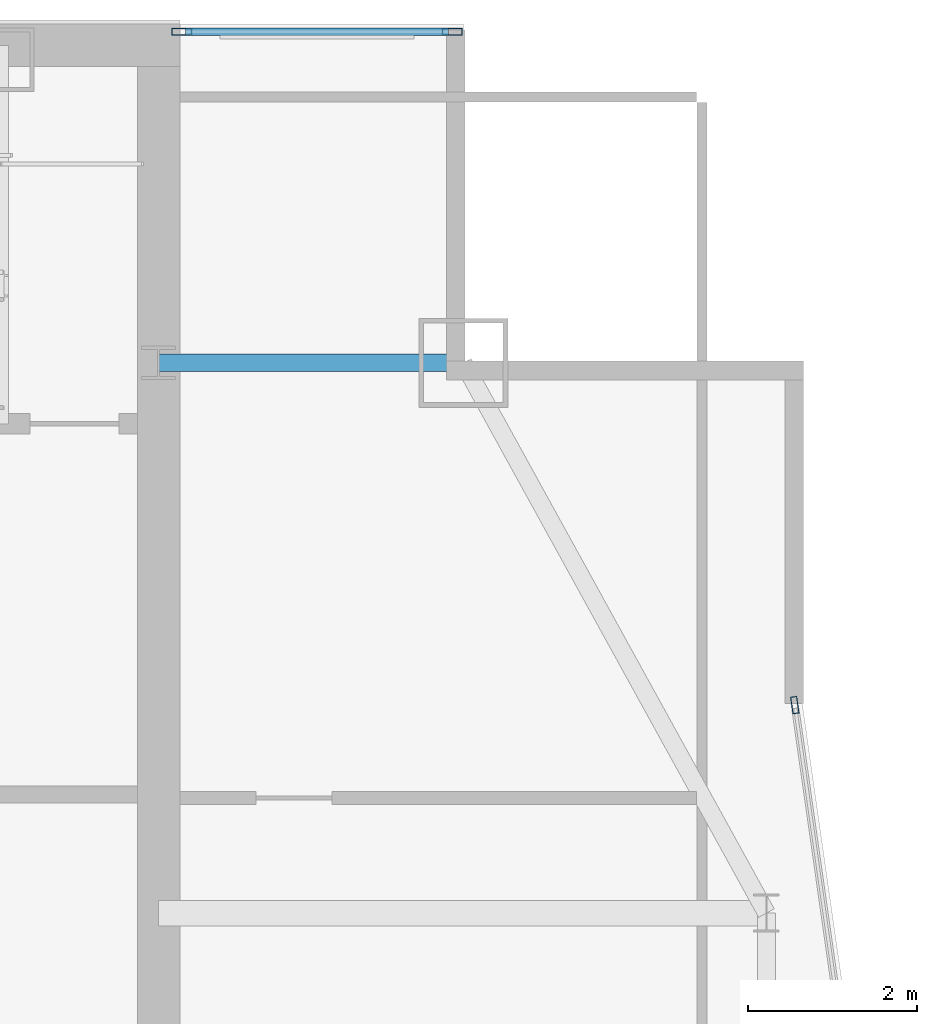
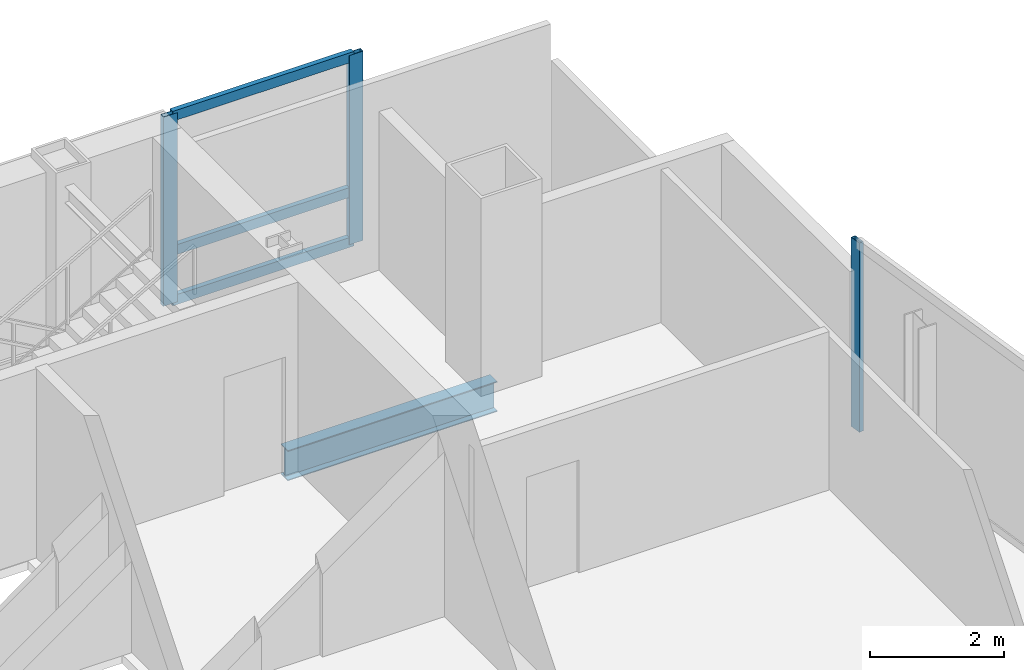
# One storey, part 23 of 30: 6 members, 1 beam, 2 elements without a shape of their own.
"""IFC4 building model written with IfcOpenShell, lengths in metres."""

from ifc_helpers import new_model, si_unit, direction, frame, origin, origin_2d, place, context, subcontext, project, spatial, hollow_rectangle, i_section, extrude, material, material_profile, profile_set, type_object, element, aggregate, save


model = new_model("IFC4")

# Units and contexts
model_context = context("Model", 3, precision=1e-05, world=origin(), true_north=direction((0.0, 1.0)))
body_context = subcontext(model_context, "Body", "Model", "MODEL_VIEW")
ifc_project = project(units=[si_unit("LENGTHUNIT", "METRE"), si_unit("AREAUNIT", "SQUARE_METRE"), si_unit("VOLUMEUNIT", "CUBIC_METRE"), si_unit("PLANEANGLEUNIT", "RADIAN"), si_unit("MASSUNIT", "GRAM", prefix="KILO")], contexts=[model_context])

# Site, building, storey
site_placement = place(None, origin())
site = spatial("IfcSite", under=ifc_project, at=site_placement, CompositionType="ELEMENT")
building_placement = place(site_placement, origin())
building = spatial("IfcBuilding", under=site, at=building_placement, Name="Khoronbel Lancet Exchange", CompositionType="ELEMENT")
storey_placement = place(building_placement, frame((0.0, 0.0, 280.60009765625)))
storey = spatial("IfcBuildingStorey", under=building, at=storey_placement, Name="L72", CompositionType="ELEMENT", Elevation=280.60009765625)

# Beam
ifc_material_1 = material(Name="Steel S355", Category="steel")
ifc_material_profile_1 = material_profile(ifc_material_1, i_section(OverallWidth=0.2099609375, OverallDepth=0.550048828125, WebThickness=0.010986328125, FlangeThickness=0.01708984375, at=origin_2d()), Name="IPE 550")
ifc_profile_set_1 = profile_set([ifc_material_profile_1], Name="Steel S355")
beam_type = type_object("IfcBeamType", Name="BM-BSP3", PredefinedType="SPANDREL", material=ifc_profile_set_1)
beam_placement = place(storey_placement, frame((60.050048828125, 49.699951171875, -0.43505859375), z_axis=(-1.0, 0.0, 0.0), x_axis=(0.0, -1.0, 0.0)))
element("IfcBeam", 1, at=beam_placement, inside=storey, type_object=beam_type, Name="Level L72 north flank tie spandrel SP23", PredefinedType="SPANDREL", context=body_context, shape_type="SweptSolid", body=[
    extrude(i_section(OverallWidth=0.2099609375, OverallDepth=0.550048828125, WebThickness=0.010986328125, FlangeThickness=0.01708984375, at=origin_2d()), origin(), (0.0, 0.0, 1.0), 3.60009765625),
])

# Curtain wall, members
ifc_material_2 = material(Name="Low-E Solar Control Insulating Glass", Category="glass")
curtain_wall_type_1 = type_object("IfcCurtainWallType", Name="CW-3", PredefinedType="NOTDEFINED", material=ifc_material_2)
curtain_wall_1_placement = place(storey_placement, origin())
curtain_wall_1 = element("IfcCurtainWall", 2, at=curtain_wall_1_placement, inside=storey, type_object=curtain_wall_type_1, Name="Unitised curtain wall CW-L72-NEFLK", PredefinedType="NOTDEFINED")
ifc_material_3 = material(Name="Bronze-Anodised Aluminium 6063-T6", Category="aluminium")
ifc_material_profile_2 = material_profile(ifc_material_3, hollow_rectangle(XDim=0.0849609375, YDim=0.239990234375, WallThickness=0.006103515625, at=origin_2d()), Name="ALU MULLION 85x240")
ifc_profile_set_2 = profile_set([ifc_material_profile_2], Name="Bronze-Anodised Aluminium 6063-T6")
member_type_1 = type_object("IfcMemberType", Name="MEM-CWM1", PredefinedType="MULLION", material=ifc_profile_set_2)
member_1_placement = place(storey_placement, frame((59.91748046875, 53.610107421875, 0.0), z_axis=(0.0, 0.0, 1.0), x_axis=(0.0, -1.0, 0.0)))
member_1 = element("IfcMember", 3, at=member_1_placement, type_object=member_type_1, Name="CW3 mullion 1", PredefinedType="MULLION", context=body_context, shape_type="SweptSolid", body=[
    extrude(hollow_rectangle(XDim=0.0849609375, YDim=0.239990234375, WallThickness=0.006103515625, at=origin_2d()), origin(), (0.0, 0.0, 1.0), 3.43994140625),
])
member_2_placement = place(storey_placement, frame((56.722412109375, 53.610107421875, 0.0), z_axis=(0.0, 0.0, 1.0), x_axis=(0.0, -1.0, 0.0)))
member_2 = element("IfcMember", 4, at=member_2_placement, type_object=member_type_1, Name="CW3 mullion 2", PredefinedType="MULLION", context=body_context, shape_type="SweptSolid", body=[
    extrude(hollow_rectangle(XDim=0.0849609375, YDim=0.239990234375, WallThickness=0.006103515625, at=origin_2d()), origin(), (0.0, 0.0, 1.0), 3.43994140625),
])

# Curtain wall, member
curtain_wall_type_2 = type_object("IfcCurtainWallType", Name="CW-4", PredefinedType="NOTDEFINED", material=ifc_material_2)
curtain_wall_2_placement = place(storey_placement, origin())
curtain_wall_2 = element("IfcCurtainWall", 5, at=curtain_wall_2_placement, inside=storey, type_object=curtain_wall_type_2, Name="Unitised curtain wall CW-L72-E17", PredefinedType="NOTDEFINED")
ifc_material_profile_3 = material_profile(ifc_material_3, hollow_rectangle(XDim=0.074951171875, YDim=0.199951171875, WallThickness=0.0048828125, at=origin_2d()), Name="ALU MULLION 75x200")
ifc_profile_set_3 = profile_set([ifc_material_profile_3], Name="Bronze-Anodised Aluminium 6063-T6")
member_type_2 = type_object("IfcMemberType", Name="MEM-CWM2", PredefinedType="MULLION", material=ifc_profile_set_3)
member_3_placement = place(storey_placement, frame((63.96533203125, 45.656494140625, 0.0), z_axis=(0.0, 0.0, 1.0), x_axis=(0.989973632032, 0.141252284521, 0.0)))
member_3 = element("IfcMember", 6, at=member_3_placement, type_object=member_type_2, Name="CW4 mullion 1", PredefinedType="MULLION", context=body_context, shape_type="SweptSolid", body=[
    extrude(hollow_rectangle(XDim=0.074951171875, YDim=0.199951171875, WallThickness=0.0048828125, at=origin_2d()), origin(), (0.0, 0.0, 1.0), 3.43994140625),
])
aggregate(curtain_wall_2, [member_3])

# Member
ifc_material_profile_4 = material_profile(ifc_material_3, hollow_rectangle(XDim=0.0849609375, YDim=0.179931640625, WallThickness=0.0048828125, at=origin_2d()), Name="ALU TRANSOM 85x180")
ifc_profile_set_4 = profile_set([ifc_material_profile_4], Name="Bronze-Anodised Aluminium 6063-T6")
member_type_3 = type_object("IfcMemberType", Name="MEM-CWT1", PredefinedType="USERDEFINED", material=ifc_profile_set_4)
member_4_placement = place(storey_placement, frame((59.875, 53.610107421875, 0.04248046875), z_axis=(-1.0, 0.0, 0.0), x_axis=(0.0, -1.0, 0.0)))
member_4 = element("IfcMember", 7, at=member_4_placement, type_object=member_type_3, Name="CW3 transom 1.1", ObjectType="TRANSOM", PredefinedType="USERDEFINED", context=body_context, shape_type="SweptSolid", body=[
    extrude(hollow_rectangle(XDim=0.0849609375, YDim=0.179931640625, WallThickness=0.0048828125, at=origin_2d()), origin(), (0.0, 0.0, 1.0), 3.110107421875),
])

member_5_placement = place(storey_placement, frame((59.875, 53.610107421875, 0.949951171875), z_axis=(-1.0, 0.0, 0.0), x_axis=(0.0, -1.0, 0.0)))
member_5 = element("IfcMember", 8, at=member_5_placement, type_object=member_type_3, Name="CW3 transom 1.2", ObjectType="TRANSOM", PredefinedType="USERDEFINED", context=body_context, shape_type="SweptSolid", body=[
    extrude(hollow_rectangle(XDim=0.0849609375, YDim=0.179931640625, WallThickness=0.0048828125, at=origin_2d()), origin(), (0.0, 0.0, 1.0), 3.110107421875),
])

member_6_placement = place(storey_placement, frame((59.875, 53.610107421875, 3.3974609375), z_axis=(-1.0, 0.0, 0.0), x_axis=(0.0, -1.0, 0.0)))
member_6 = element("IfcMember", 9, at=member_6_placement, type_object=member_type_3, Name="CW3 transom 1.3", ObjectType="TRANSOM", PredefinedType="USERDEFINED", context=body_context, shape_type="SweptSolid", body=[
    extrude(hollow_rectangle(XDim=0.0849609375, YDim=0.179931640625, WallThickness=0.0048828125, at=origin_2d()), origin(), (0.0, 0.0, 1.0), 3.110107421875),
])

aggregate(curtain_wall_1, [member_1, member_2, member_4, member_5, member_6])

save(model, "model.ifc")
